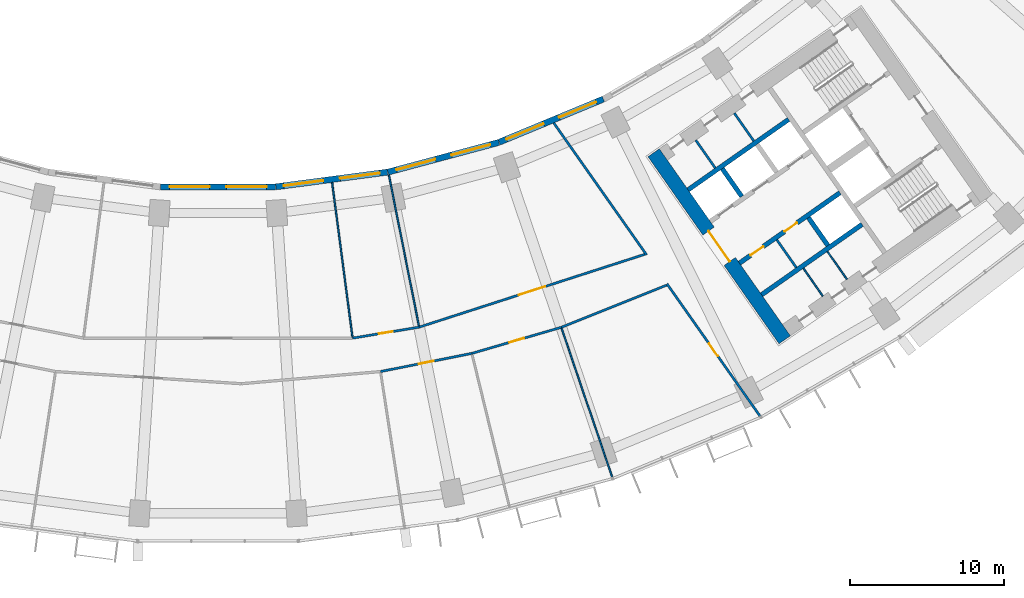
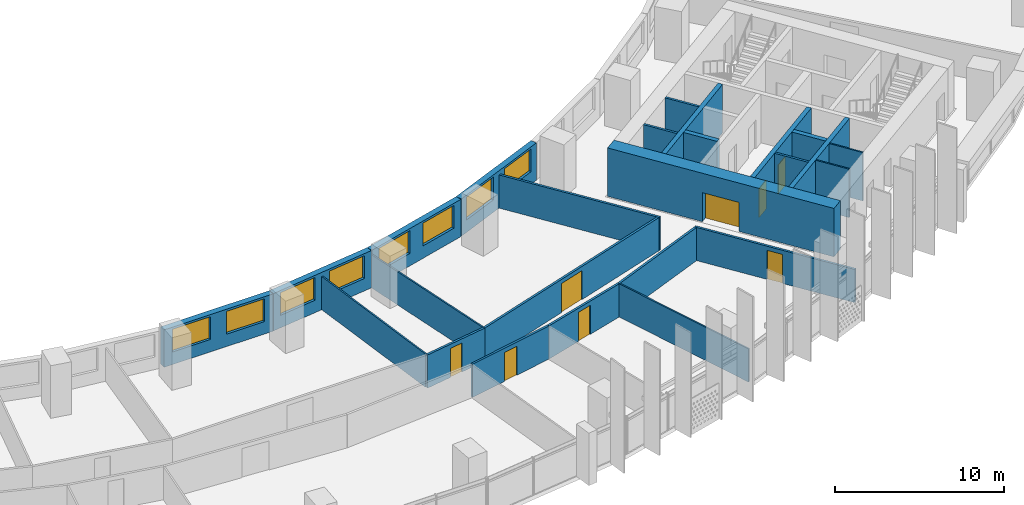
# One storey, part 6 of 32: 25 walls, 8 doors, 8 windows, 16 openings.
"""IFC4 building model written with IfcOpenShell, lengths in metres."""

import ifcopenshell
import ifcopenshell.guid

model = None  # the IFC model being written
_history = None  # IfcOwnerHistory: only IFC2X3 demands one
_inside = {}  # id of a spatial element -> (the spatial element, [elements in it])
_under = {}  # id of a project, library or spatial element -> (it, [spatial elements below it])
_declared = {}  # id of a project -> (the project, [libraries it declares])
_typed = {}  # id of a type object -> (the type object, [elements of that type])
_made_of = {}  # id of a material, layer set ... -> (it, [elements and type objects made of it])


def new_model(schema):
    """Start an empty IFC model of exactly this schema.

    Asked for "IFC4X3", IfcOpenShell would pick the latest addendum, in which some entities
    have other attributes; the version numbers below select the first issue.
    IFC2X3 requires an IfcOwnerHistory on every rooted entity: one is made here for all.
    """
    global model, _history
    if schema == "IFC4X3":
        model = ifcopenshell.file(schema_version=(4, 3, 0, 0))
    else:
        model = ifcopenshell.file(schema=schema)
    _inside.clear()
    _under.clear()
    _declared.clear()
    _typed.clear()
    _made_of.clear()
    _history = None
    if model.schema == "IFC2X3":
        org = make("IfcOrganization", Name="unknown")
        user = make(
            "IfcPersonAndOrganization",
            ThePerson=make("IfcPerson", FamilyName="unknown"),
            TheOrganization=org,
        )
        app = make(
            "IfcApplication",
            ApplicationDeveloper=org,
            Version="unknown",
            ApplicationFullName="unknown",
            ApplicationIdentifier="unknown",
        )
        _history = make(
            "IfcOwnerHistory",
            OwningUser=user,
            OwningApplication=app,
            ChangeAction="ADDED",
            CreationDate=0,
        )
    return model


def make(cls, **values):
    """One entity of the class cls with the attributes given. An attribute that is None is left unset."""
    return model.create_entity(
        cls, **{name: value for name, value in values.items() if value is not None}
    )


def rooted(cls, **values):
    """An entity with a GlobalId (a new one), such as an element, a storey or a relation."""
    return make(cls, GlobalId=ifcopenshell.guid.new(), OwnerHistory=_history, **values)


def si_unit(unit_type, name, prefix=None):
    """IfcSIUnit, for example si_unit("LENGTHUNIT", "METRE", prefix="MILLI")."""
    return make("IfcSIUnit", UnitType=unit_type, Prefix=prefix, Name=name)


def assignment(units):
    """IfcUnitAssignment: the units of a project."""
    return None if units is None else make("IfcUnitAssignment", Units=units)


def point(xyz):
    """IfcCartesianPoint."""
    return None if xyz is None else make("IfcCartesianPoint", Coordinates=xyz)


def direction(xyz):
    """IfcDirection."""
    return None if xyz is None else make("IfcDirection", DirectionRatios=xyz)


def frame(location, z_axis=None, x_axis=None):
    """IfcAxis2Placement3D, a coordinate frame: its origin and axes. An axis left out is left unset."""
    return make(
        "IfcAxis2Placement3D",
        Location=point(location),
        Axis=direction(z_axis),
        RefDirection=direction(x_axis),
    )


def frame_2d(location, x_axis=None):
    """IfcAxis2Placement2D, a coordinate frame in the plane: its origin and x axis."""
    return make(
        "IfcAxis2Placement2D", Location=point(location), RefDirection=direction(x_axis)
    )


def origin():
    """The frame at (0, 0, 0) with its axes left unset."""
    return frame((0.0, 0.0, 0.0))


def place(relative_to, where):
    """IfcLocalPlacement: puts the frame where relative to a parent placement (None: the world)."""
    return make(
        "IfcLocalPlacement", PlacementRelTo=relative_to, RelativePlacement=where
    )


def context(
    kind, dimensions, precision=None, world=None, true_north=None, identifier=None
):
    """IfcGeometricRepresentationContext, for example the 3D "Model" context."""
    return make(
        "IfcGeometricRepresentationContext",
        ContextIdentifier=identifier,
        ContextType=kind,
        CoordinateSpaceDimension=dimensions,
        Precision=precision,
        WorldCoordinateSystem=world,
        TrueNorth=true_north,
    )


def subcontext(parent, identifier, kind, view, scale=None):
    """IfcGeometricRepresentationSubContext, for example "Body" below "Model"."""
    return make(
        "IfcGeometricRepresentationSubContext",
        ContextIdentifier=identifier,
        ContextType=kind,
        ParentContext=parent,
        TargetScale=scale,
        TargetView=view,
    )


def project(units=None, contexts=None):
    """IfcProject with its units and contexts."""
    return rooted(
        "IfcProject",
        Name="project",
        RepresentationContexts=contexts,
        UnitsInContext=assignment(units),
    )


def spatial(cls, under=None, at=None, **own):
    """A site, building, storey or space (cls), placed at a placement, below another one or the project."""
    s = rooted(cls, ObjectPlacement=at, **own)
    if under is not None:
        _under.setdefault(under.id(), (under, []))[1].append(s)
    return s


def profile(cls, at=None, kind="AREA", **sizes):
    """A parametric profile (cls). Its sizes go by their IFC names, for example OverallWidth=200.0."""
    return make(cls, ProfileType=kind, Position=at, **sizes)


def rectangle(**sizes):
    """IfcRectangleProfileDef."""
    return profile("IfcRectangleProfileDef", **sizes)


def extrude(swept, where, along, depth):
    """IfcExtrudedAreaSolid: the profile swept, set in the frame where, extruded along a direction by depth."""
    return make(
        "IfcExtrudedAreaSolid",
        SweptArea=swept,
        Position=where,
        ExtrudedDirection=direction(along),
        Depth=depth,
    )


def shape(context_of_items, identifier, shape_type, items):
    """IfcShapeRepresentation: the items that make up one representation, for example the "Body"."""
    return make(
        "IfcShapeRepresentation",
        ContextOfItems=context_of_items,
        RepresentationIdentifier=identifier,
        RepresentationType=shape_type,
        Items=items,
    )


def material(Name=None, Category=None):
    """IfcMaterial."""
    return make("IfcMaterial", Name=Name, Category=Category)


def layer(
    of_material, thickness, ventilated=None, Name=None, Category=None, Priority=None
):
    """IfcMaterialLayer: one layer of a wall or slab, of a material (None: an air gap)."""
    return make(
        "IfcMaterialLayer",
        Material=of_material,
        LayerThickness=thickness,
        IsVentilated=ventilated,
        Name=Name,
        Category=Category,
        Priority=Priority,
    )


def layer_set(layers, Name=None):
    """IfcMaterialLayerSet."""
    return make("IfcMaterialLayerSet", MaterialLayers=layers, LayerSetName=Name)


def made_of(thing, what):
    """Note that an element or type object is made of a material, layer set ...; save() writes the relation."""
    if what is not None:
        _made_of.setdefault(what.id(), (what, []))[1].append(thing)
    return thing


def type_object(cls, material=None, **own):
    """A type object (cls), such as IfcWallType, which elements share."""
    return made_of(rooted(cls, **own), material)


def element(
    cls,
    number,
    at=None,
    inside=None,
    cuts=None,
    type_object=None,
    material=None,
    context=None,
    identifier="Body",
    shape_type=None,
    held_by="IfcProductDefinitionShape",
    body=None,
    shapes=None,
    **own,
):
    """One element of the class cls, such as IfcWall. Its Tag is "e" and its number.

    at: its placement. inside: the storey or other place that contains it. cuts: it is an
    opening in that element (IfcRelVoidsElement). A single representation is given by context,
    identifier, shape_type and body (its items); several are given by shapes. held_by: the class
    of the entity that holds the representations. save() writes the other relations.
    """
    e = rooted(cls, Tag="e%d" % number, ObjectPlacement=at, **own)
    if body is not None:
        shapes = [shape(context, identifier, shape_type, body)]
    if shapes is not None:
        e.Representation = make(held_by, Representations=shapes)
    if inside is not None:
        _inside.setdefault(inside.id(), (inside, []))[1].append(e)
    if cuts is not None:
        rooted(
            "IfcRelVoidsElement", RelatingBuildingElement=cuts, RelatedOpeningElement=e
        )
    if type_object is not None:
        _typed.setdefault(type_object.id(), (type_object, []))[1].append(e)
    return made_of(e, material)


def fill(opening, filler):
    """IfcRelFillsElement: the door or window that sits in an opening."""
    return rooted(
        "IfcRelFillsElement",
        RelatingOpeningElement=opening,
        RelatedBuildingElement=filler,
    )


def aggregate(whole, parts):
    """IfcRelAggregates: a whole, such as a stair, and the parts it consists of."""
    return rooted("IfcRelAggregates", RelatingObject=whole, RelatedObjects=parts)


def save(model, path):
    """Write the relations noted so far, then the file.

    IfcRelAggregates (storeys below a building ...), IfcRelContainedInSpatialStructure (elements
    in a storey), IfcRelDefinesByType, IfcRelAssociatesMaterial and IfcRelDeclares: one each for
    every whole, place, type object, material and project.
    """
    for whole, parts in _under.values():
        aggregate(whole, parts)
    for where, things in _inside.values():
        rooted(
            "IfcRelContainedInSpatialStructure",
            RelatedElements=things,
            RelatingStructure=where,
        )
    for kind, things in _typed.values():
        rooted("IfcRelDefinesByType", RelatedObjects=things, RelatingType=kind)
    for what, things in _made_of.values():
        rooted("IfcRelAssociatesMaterial", RelatedObjects=things, RelatingMaterial=what)
    for by, libraries in _declared.values():
        rooted("IfcRelDeclares", RelatingContext=by, RelatedDefinitions=libraries)
    model.write(path)


model = new_model("IFC4")

# Units and contexts
model_context = context("Model", 3, precision=1e-05, world=origin(), true_north=direction((0.0, 1.0)))
body_context = subcontext(model_context, "Body", "Model", "MODEL_VIEW")
ifc_project = project(units=[si_unit("LENGTHUNIT", "METRE"), si_unit("AREAUNIT", "SQUARE_METRE"), si_unit("VOLUMEUNIT", "CUBIC_METRE"), si_unit("PLANEANGLEUNIT", "RADIAN"), si_unit("MASSUNIT", "GRAM", prefix="KILO")], contexts=[model_context])

# Site, building, storey
site_placement = place(None, origin())
site = spatial("IfcSite", under=ifc_project, at=site_placement, CompositionType="ELEMENT")
building_placement = place(site_placement, origin())
building = spatial("IfcBuilding", under=site, at=building_placement, Name="Qamariyya Broadcast Tower", CompositionType="ELEMENT")
storey_placement = place(building_placement, frame((0.0, 0.0, 70.89990234375)))
storey = spatial("IfcBuildingStorey", under=building, at=storey_placement, Name="L14", CompositionType="ELEMENT", Elevation=70.89990234375)

# Wall, opening, door
ifc_material_1 = material(Name="Concrete C70/85", Category="concrete")
ifc_layer_1 = layer(ifc_material_1, 0.89990234375)
ifc_layer_set_1 = layer_set([ifc_layer_1], Name="Core wall 900 mm Concrete C70/85")
wall_type_1 = type_object("IfcWallType", Name="Core wall 900 mm Concrete C70/85", PredefinedType="SHEAR", material=ifc_layer_set_1)
wall_1_placement = place(storey_placement, frame((36.716796875, -66.3369140625, 0.0), z_axis=(0.0, 0.0, 1.0), x_axis=(-0.573577477574, 0.819151315216, 0.0)))
wall_1 = element("IfcWall", 1, at=wall_1_placement, inside=storey, type_object=wall_type_1, Name="k-E-L14-WA", PredefinedType="SHEAR", context=body_context, shape_type="SweptSolid", body=[
    extrude(rectangle(XDim=14.800048828125, YDim=0.89990234375, at=frame_2d((7.39990234375, 0.0))), origin(), (0.0, 0.0, 1.0), 3.5),
])
opening_1_placement = place(wall_1_placement, frame((6.199951171875, 0.0, 0.0)))
opening_1 = element("IfcOpeningElement", 2, at=opening_1_placement, cuts=wall_1, Name="Opening KD3-E1", PredefinedType="OPENING", context=body_context, shape_type="SweptSolid", body=[
    extrude(rectangle(XDim=2.39990234375, YDim=2.10009765625, at=frame_2d((1.199951171875, 1.050048828125))), frame((0.0, 0.4599609375, 0.0), z_axis=(0.0, -1.0, 0.0), x_axis=(1.0, 0.0, 0.0)), (0.0, 0.0, 1.0), 0.919921875),
])
ifc_material_2 = material(Name="Steel fire-resisting door leaf", Category="steel")
door_type_1 = type_object("IfcDoorType", Name="Lift lobby door KD3", OperationType="DOUBLE_DOOR_SINGLE_SWING", PredefinedType="DOOR", material=ifc_material_2)
door_1_placement = place(opening_1_placement, origin())
door_1 = element("IfcDoor", 3, at=door_1_placement, inside=storey, type_object=door_type_1, Name="k-E-L14-WA-D1", OperationType="DOUBLE_DOOR_SINGLE_SWING", OverallHeight=2.10009765625, OverallWidth=2.39990234375, PredefinedType="DOOR", context=body_context, shape_type="SweptSolid", body=[
    extrude(rectangle(XDim=2.39990234375, YDim=2.10009765625, at=frame_2d((1.199951171875, 1.050048828125))), frame((0.0, 0.02490234375, 0.0), z_axis=(0.0, -1.0, 0.0), x_axis=(1.0, 0.0, 0.0)), (0.0, 0.0, 1.0), 0.050048828125),
])
fill(opening_1, door_1)

ifc_material_3 = material(Name="Gypsum board partition")
ifc_layer_2 = layer(ifc_material_3, 0.14990234375)
ifc_layer_set_2 = layer_set([ifc_layer_2], Name="Corridor partition 150 EI 60")
wall_type_2 = type_object("IfcWallType", Name="Corridor partition 150 EI 60", PredefinedType="PARTITIONING", material=ifc_layer_set_2)
wall_2_placement = place(storey_placement, frame((8.71923828125, -66.228515625, 0.0), z_axis=(0.0, 0.0, 1.0), x_axis=(0.986638873051, 0.162922479065, 0.0)))
wall_2 = element("IfcWall", 4, at=wall_2_placement, inside=storey, type_object=wall_type_2, Name="Partition L14-016", PredefinedType="PARTITIONING", context=body_context, shape_type="SweptSolid", body=[
    extrude(rectangle(XDim=4.37109375, YDim=0.14990234375, at=frame_2d((2.185546875, 0.0))), origin(), (0.0, 0.0, 1.0), 2.400146484375),
])
opening_2_placement = place(wall_2_placement, frame((1.735595703125, 0.0, 0.0)))
opening_2 = element("IfcOpeningElement", 5, at=opening_2_placement, cuts=wall_2, Name="Opening L14-D10", PredefinedType="OPENING", context=body_context, shape_type="SweptSolid", body=[
    extrude(rectangle(XDim=0.89990234375, YDim=2.10009765625, at=frame_2d((0.449951171875, 1.050048828125))), frame((0.0, 0.0849609375, 0.0), z_axis=(0.0, -1.0, 0.0), x_axis=(1.0, 0.0, 0.0)), (0.0, 0.0, 1.0), 0.169921875),
])
ifc_material_4 = material(Name="Timber fire door leaf", Category="wood")
door_type_2 = type_object("IfcDoorType", Name="Fire door 900 x 2100 FD60", OperationType="NOTDEFINED", PredefinedType="DOOR", material=ifc_material_4)
door_2_placement = place(opening_2_placement, origin())
door_2 = element("IfcDoor", 6, at=door_2_placement, inside=storey, type_object=door_type_2, Name="Door L14-D10", OperationType="SINGLE_SWING_RIGHT", OverallHeight=2.10009765625, OverallWidth=0.89990234375, PredefinedType="DOOR", context=body_context, shape_type="SweptSolid", body=[
    extrude(rectangle(XDim=0.89990234375, YDim=2.10009765625, at=frame_2d((0.449951171875, 1.050048828125))), frame((0.0, 0.02490234375, 0.0), z_axis=(0.0, -1.0, 0.0), x_axis=(1.0, 0.0, 0.0)), (0.0, 0.0, 1.0), 0.050048828125),
])
fill(opening_2, door_2)

wall_3_placement = place(storey_placement, frame((16.446044921875, -67.21728515625, 0.0), z_axis=(0.0, 0.0, 1.0), x_axis=(-0.980785582749, -0.195088802015, 0.0)))
wall_3 = element("IfcWall", 7, at=wall_3_placement, inside=storey, type_object=wall_type_2, Name="Partition L14-017", PredefinedType="PARTITIONING", context=body_context, shape_type="SweptSolid", body=[
    extrude(rectangle(XDim=6.033203125, YDim=0.14990234375, at=frame_2d((3.0166015625, 0.0))), origin(), (0.0, 0.0, 1.0), 2.400146484375),
])
opening_3_placement = place(wall_3_placement, frame((2.5166015625, 0.0, 0.0)))
opening_3 = element("IfcOpeningElement", 8, at=opening_3_placement, cuts=wall_3, Name="Opening L14-D04", PredefinedType="OPENING", context=body_context, shape_type="SweptSolid", body=[
    extrude(rectangle(XDim=1.0, YDim=2.10009765625, at=frame_2d((0.5, 1.050048828125))), frame((0.0, 0.0849609375, 0.0), z_axis=(0.0, -1.0, 0.0), x_axis=(1.0, 0.0, 0.0)), (0.0, 0.0, 1.0), 0.169921875),
])
door_type_3 = type_object("IfcDoorType", Name="Fire door 1000 x 2100 FD60", OperationType="NOTDEFINED", PredefinedType="DOOR", material=ifc_material_4)
door_3_placement = place(opening_3_placement, origin())
door_3 = element("IfcDoor", 9, at=door_3_placement, inside=storey, type_object=door_type_3, Name="Door L14-D04", OperationType="SINGLE_SWING_RIGHT", OverallHeight=2.10009765625, OverallWidth=1.0, PredefinedType="DOOR", context=body_context, shape_type="SweptSolid", body=[
    extrude(rectangle(XDim=1.0, YDim=2.10009765625, at=frame_2d((0.5, 1.050048828125))), frame((0.0, 0.02490234375, 0.0), z_axis=(0.0, -1.0, 0.0), x_axis=(1.0, 0.0, 0.0)), (0.0, 0.0, 1.0), 0.050048828125),
])
fill(opening_3, door_3)

wall_4_placement = place(storey_placement, frame((13.031982421875, -65.516357421875, 0.0), z_axis=(0.0, 0.0, 1.0), x_axis=(0.951666530015, 0.307133221338, 0.0)))
wall_4 = element("IfcWall", 10, at=wall_4_placement, inside=storey, type_object=wall_type_2, Name="Partition L14-020", PredefinedType="PARTITIONING", context=body_context, shape_type="SweptSolid", body=[
    extrude(rectangle(XDim=15.3662109375, YDim=0.14990234375, at=frame_2d((7.68310546875, 0.0))), origin(), (0.0, 0.0, 1.0), 2.400146484375),
])
opening_4_placement = place(wall_4_placement, frame((6.782958984375, 0.0, 0.0)))
opening_4 = element("IfcOpeningElement", 11, at=opening_4_placement, cuts=wall_4, Name="Opening L14-D11", PredefinedType="OPENING", context=body_context, shape_type="SweptSolid", body=[
    extrude(rectangle(XDim=1.800048828125, YDim=2.10009765625, at=frame_2d((0.89990234375, 1.050048828125))), frame((0.0, 0.0849609375, 0.0), z_axis=(0.0, -1.0, 0.0), x_axis=(1.0, 0.0, 0.0)), (0.0, 0.0, 1.0), 0.169921875),
])
door_type_4 = type_object("IfcDoorType", Name="Double fire door 1800 x 2100 FD60", OperationType="NOTDEFINED", PredefinedType="DOOR", material=ifc_material_4)
door_4_placement = place(opening_4_placement, origin())
door_4 = element("IfcDoor", 12, at=door_4_placement, inside=storey, type_object=door_type_4, Name="Door L14-D11", OperationType="DOUBLE_DOOR_SINGLE_SWING", OverallHeight=2.10009765625, OverallWidth=1.800048828125, PredefinedType="DOOR", context=body_context, shape_type="SweptSolid", body=[
    extrude(rectangle(XDim=1.800048828125, YDim=2.10009765625, at=frame_2d((0.89990234375, 1.050048828125))), frame((0.0, 0.02490234375, 0.0), z_axis=(0.0, -1.0, 0.0), x_axis=(1.0, 0.0, 0.0)), (0.0, 0.0, 1.0), 0.050048828125),
])
fill(opening_4, door_4)

wall_5_placement = place(storey_placement, frame((22.24365234375, -65.527587890625, 0.0), z_axis=(0.0, 0.0, 1.0), x_axis=(-0.960056580345, -0.279805937279, 0.0)))
wall_5 = element("IfcWall", 13, at=wall_5_placement, inside=storey, type_object=wall_type_2, Name="Partition L14-021", PredefinedType="PARTITIONING", context=body_context, shape_type="SweptSolid", body=[
    extrude(rectangle(XDim=6.038818359375, YDim=0.14990234375, at=frame_2d((3.01953125, 0.0))), origin(), (0.0, 0.0, 1.0), 2.400146484375),
])
opening_5_placement = place(wall_5_placement, frame((2.51953125, 0.0, 0.0)))
opening_5 = element("IfcOpeningElement", 14, at=opening_5_placement, cuts=wall_5, Name="Opening L14-D05", PredefinedType="OPENING", context=body_context, shape_type="SweptSolid", body=[
    extrude(rectangle(XDim=1.0, YDim=2.10009765625, at=frame_2d((0.5, 1.050048828125))), frame((0.0, 0.0849609375, 0.0), z_axis=(0.0, -1.0, 0.0), x_axis=(1.0, 0.0, 0.0)), (0.0, 0.0, 1.0), 0.169921875),
])
door_5_placement = place(opening_5_placement, origin())
door_5 = element("IfcDoor", 15, at=door_5_placement, inside=storey, type_object=door_type_3, Name="Door L14-D05", OperationType="SINGLE_SWING_RIGHT", OverallHeight=2.10009765625, OverallWidth=1.0, PredefinedType="DOOR", context=body_context, shape_type="SweptSolid", body=[
    extrude(rectangle(XDim=1.0, YDim=2.10009765625, at=frame_2d((0.5, 1.050048828125))), frame((0.0, 0.02490234375, 0.0), z_axis=(0.0, -1.0, 0.0), x_axis=(1.0, 0.0, 0.0)), (0.0, 0.0, 1.0), 0.050048828125),
])
fill(opening_5, door_5)

# Walls
wall_6_placement = place(storey_placement, frame((21.748291015625, -52.2763671875, 0.0), z_axis=(0.0, 0.0, 1.0), x_axis=(0.575419434668, -0.817858468322, 0.0)))
element("IfcWall", 16, at=wall_6_placement, inside=storey, type_object=wall_type_2, Name="Partition L14-023", PredefinedType="PARTITIONING", context=body_context, shape_type="SweptSolid", body=[
    extrude(rectangle(XDim=10.46484375, YDim=0.14990234375, at=frame_2d((5.232421875, 0.0))), origin(), (0.0, 0.0, 1.0), 2.400146484375),
])
wall_7_placement = place(storey_placement, frame((22.24365234375, -65.527587890625, 0.0), z_axis=(0.0, 0.0, 1.0), x_axis=(0.928339065762, 0.371734554462, 0.0)))
element("IfcWall", 17, at=wall_7_placement, inside=storey, type_object=wall_type_2, Name="Partition L14-024", PredefinedType="PARTITIONING", context=body_context, shape_type="SweptSolid", body=[
    extrude(rectangle(XDim=7.343994140625, YDim=0.14990234375, at=frame_2d((3.671875, 0.0))), origin(), (0.0, 0.0, 1.0), 2.400146484375),
])

# Wall, opening, door
wall_8_placement = place(storey_placement, frame((35.11328125, -71.2724609375, 0.0), z_axis=(0.0, 0.0, 1.0), x_axis=(-0.575411972256, 0.817863718589, 0.0)))
wall_8 = element("IfcWall", 18, at=wall_8_placement, inside=storey, type_object=wall_type_2, Name="Partition L14-026", PredefinedType="PARTITIONING", context=body_context, shape_type="SweptSolid", body=[
    extrude(rectangle(XDim=10.471435546875, YDim=0.14990234375, at=frame_2d((5.23583984375, 0.0))), origin(), (0.0, 0.0, 1.0), 2.400146484375),
])
opening_6_placement = place(wall_8_placement, frame((4.735595703125, 0.0, 0.0)))
opening_6 = element("IfcOpeningElement", 19, at=opening_6_placement, cuts=wall_8, Name="Opening L14-D06", PredefinedType="OPENING", context=body_context, shape_type="SweptSolid", body=[
    extrude(rectangle(XDim=1.0, YDim=2.10009765625, at=frame_2d((0.5, 1.050048828125))), frame((0.0, 0.0849609375, 0.0), z_axis=(0.0, -1.0, 0.0), x_axis=(1.0, 0.0, 0.0)), (0.0, 0.0, 1.0), 0.169921875),
])
door_6_placement = place(opening_6_placement, origin())
door_6 = element("IfcDoor", 20, at=door_6_placement, inside=storey, type_object=door_type_3, Name="Door L14-D06", OperationType="SINGLE_SWING_RIGHT", OverallHeight=2.10009765625, OverallWidth=1.0, PredefinedType="DOOR", context=body_context, shape_type="SweptSolid", body=[
    extrude(rectangle(XDim=1.0, YDim=2.10009765625, at=frame_2d((0.5, 1.050048828125))), frame((0.0, 0.02490234375, 0.0), z_axis=(0.0, -1.0, 0.0), x_axis=(1.0, 0.0, 0.0)), (0.0, 0.0, 1.0), 0.050048828125),
])
fill(opening_6, door_6)

# Walls
ifc_material_5 = material(Name="Gypsum board partition on steel studs", Category="steel")
ifc_layer_3 = layer(ifc_material_5, 0.14990234375)
ifc_layer_set_3 = layer_set([ifc_layer_3], Name="Gypsum board partition 150 mm")
wall_type_3 = type_object("IfcWallType", Name="Gypsum board partition 150 mm", PredefinedType="PARTITIONING", material=ifc_layer_set_3)
for number, where, z_axis, x_axis, name in (
    (21, (36.2080078125, -59.85693359375, 0.0), (0.0, 0.0, 1.0), (0.573581496053, -0.819148501424, 0.0), "k-E-L14-SC285"),
    (22, (32.2177734375, -55.204345703125, 0.0), (0.0, 0.0, 1.0), (-0.573581496053, 0.819148501424, 0.0), "k-E-L14-NP225"),
):
    element("IfcWall", number, at=place(storey_placement, frame(where, z_axis=z_axis, x_axis=x_axis)), inside=storey, type_object=wall_type_3, Name=name, PredefinedType="PARTITIONING", context=body_context, shape_type="SweptSolid", body=[
        extrude(rectangle(XDim=2.2001953125, YDim=0.14990234375, at=frame_2d((1.10009765625, 0.0))), origin(), (0.0, 0.0, 1.0), 3.5),
    ])
wall_9_placement = place(storey_placement, frame((34.716064453125, -53.454833984375, 0.0), z_axis=(0.0, 0.0, 1.0), x_axis=(-0.573507030513, 0.819200638399, 0.0)))
element("IfcWall", 23, at=wall_9_placement, inside=storey, type_object=wall_type_3, Name="k-E-L14-NP530", PredefinedType="PARTITIONING", context=body_context, shape_type="SweptSolid", body=[
    extrude(rectangle(XDim=2.199951171875, YDim=0.14990234375, at=frame_2d((1.10009765625, 0.0))), origin(), (0.0, 0.0, 1.0), 3.5),
])
ifc_material_6 = material(Name="Concrete C60/75", Category="concrete")
ifc_layer_4 = layer(ifc_material_6, 0.300048828125)
ifc_layer_set_4 = layer_set([ifc_layer_4], Name="Lift shaft wall 300 mm Concrete C60/75")
wall_type_4 = type_object("IfcWallType", Name="Lift shaft wall 300 mm Concrete C60/75", PredefinedType="SOLIDWALL", material=ifc_layer_set_4)
wall_10_placement = place(storey_placement, frame((30.460693359375, -56.61767578125, 0.0), z_axis=(0.0, 0.0, 1.0), x_axis=(0.819142461705, 0.573590121456, 0.0)))
element("IfcWall", 24, at=wall_10_placement, inside=storey, type_object=wall_type_4, Name="k-E-L14-NB0", PredefinedType="SOLIDWALL", context=body_context, shape_type="SweptSolid", body=[
    extrude(rectangle(XDim=7.949951171875, YDim=0.300048828125, at=frame_2d((3.97509765625, 0.0))), origin(), (0.0, 0.0, 1.0), 3.5),
])
wall_11_placement = place(storey_placement, frame((33.9384765625, -57.051513671875, 0.0), z_axis=(0.0, 0.0, 1.0), x_axis=(-0.573581496053, 0.819148501424, 0.0)))
element("IfcWall", 25, at=wall_11_placement, inside=storey, type_object=wall_type_4, Name="k-E-L14-ND0", PredefinedType="SOLIDWALL", context=body_context, shape_type="SweptSolid", body=[
    extrude(rectangle(XDim=2.2001953125, YDim=0.300048828125, at=frame_2d((1.10009765625, 0.0))), origin(), (0.0, 0.0, 1.0), 3.5),
])

# Wall, openings, doors
wall_12_placement = place(storey_placement, frame((33.787353515625, -61.368896484375, 0.0), z_axis=(0.0, 0.0, 1.0), x_axis=(0.819152564888, 0.573575692858, 0.0)))
wall_12 = element("IfcWall", 26, at=wall_12_placement, inside=storey, type_object=wall_type_4, Name="k-E-L14-SF0", PredefinedType="SOLIDWALL", context=body_context, shape_type="SweptSolid", body=[
    extrude(rectangle(XDim=7.9501953125, YDim=0.300048828125, at=frame_2d((3.97509765625, 0.0))), origin(), (0.0, 0.0, 1.0), 3.5),
])
opening_7_placement = place(wall_12_placement, frame((0.887451171875, 0.0, 0.0)))
opening_7 = element("IfcOpeningElement", 27, at=opening_7_placement, cuts=wall_12, Name="Opening KD4-E1", PredefinedType="OPENING", context=body_context, shape_type="SweptSolid", body=[
    extrude(rectangle(XDim=1.0, YDim=2.10009765625, at=frame_2d((0.5, 1.050048828125))), frame((0.0, 0.159912109375, 0.0), z_axis=(0.0, -1.0, 0.0), x_axis=(1.0, 0.0, 0.0)), (0.0, 0.0, 1.0), 0.320068359375),
])
opening_8_placement = place(wall_12_placement, frame((3.5625, 0.0, 0.0)))
opening_8 = element("IfcOpeningElement", 28, at=opening_8_placement, cuts=wall_12, Name="Opening KD6-E1", PredefinedType="OPENING", context=body_context, shape_type="SweptSolid", body=[
    extrude(rectangle(XDim=1.0, YDim=2.10009765625, at=frame_2d((0.5, 1.050048828125))), frame((0.0, 0.159912109375, 0.0), z_axis=(0.0, -1.0, 0.0), x_axis=(1.0, 0.0, 0.0)), (0.0, 0.0, 1.0), 0.320068359375),
])
door_type_5 = type_object("IfcDoorType", Name="Core room door KD6", OperationType="SINGLE_SWING_LEFT", PredefinedType="DOOR", material=ifc_material_2)
door_7_placement = place(opening_8_placement, origin())
door_7 = element("IfcDoor", 29, at=door_7_placement, inside=storey, type_object=door_type_5, Name="k-E-L14-SF0-D6", OperationType="SINGLE_SWING_RIGHT", OverallHeight=2.10009765625, OverallWidth=1.0, PredefinedType="DOOR", context=body_context, shape_type="SweptSolid", body=[
    extrude(rectangle(XDim=1.0, YDim=2.10009765625, at=frame_2d((0.5, 1.050048828125))), frame((0.0, 0.02490234375, 0.0), z_axis=(0.0, -1.0, 0.0), x_axis=(1.0, 0.0, 0.0)), (0.0, 0.0, 1.0), 0.050048828125),
])
fill(opening_8, door_7)
door_type_6 = type_object("IfcDoorType", Name="Riser and plant door KD4", OperationType="SINGLE_SWING_LEFT", PredefinedType="DOOR", material=ifc_material_2)
door_8_placement = place(opening_7_placement, origin())
door_8 = element("IfcDoor", 30, at=door_8_placement, inside=storey, type_object=door_type_6, Name="k-E-L14-SF0-D5", OperationType="SINGLE_SWING_LEFT", OverallHeight=2.10009765625, OverallWidth=1.0, PredefinedType="DOOR", context=body_context, shape_type="SweptSolid", body=[
    extrude(rectangle(XDim=1.0, YDim=2.10009765625, at=frame_2d((0.5, 1.050048828125))), frame((0.0, 0.02490234375, 0.0), z_axis=(0.0, -1.0, 0.0), x_axis=(1.0, 0.0, 0.0)), (0.0, 0.0, 1.0), 0.050048828125),
])
fill(opening_7, door_8)

# Walls
wall_13_placement = place(storey_placement, frame((35.22119140625, -63.41650390625, 0.0), z_axis=(0.0, 0.0, 1.0), x_axis=(0.819166993208, 0.573555086491, 0.0)))
element("IfcWall", 31, at=wall_13_placement, inside=storey, type_object=wall_type_4, Name="k-E-L14-SB0", PredefinedType="SOLIDWALL", context=body_context, shape_type="SweptSolid", body=[
    extrude(rectangle(XDim=7.9501953125, YDim=0.300048828125, at=frame_2d((3.97509765625, 0.0))), origin(), (0.0, 0.0, 1.0), 3.5),
])
wall_14_placement = place(storey_placement, frame((38.255859375, -58.423095703125, 0.0), z_axis=(0.0, 0.0, 1.0), x_axis=(0.573633636671, -0.819111989218, 0.0)))
element("IfcWall", 32, at=wall_14_placement, inside=storey, type_object=wall_type_4, Name="k-E-L14-SD1", PredefinedType="SOLIDWALL", context=body_context, shape_type="SweptSolid", body=[
    extrude(rectangle(XDim=2.199951171875, YDim=0.300048828125, at=frame_2d((1.10009765625, 0.0))), origin(), (0.0, 0.0, 1.0), 3.5),
])
ifc_layer_5 = layer(ifc_material_3, 0.10009765625)
ifc_layer_set_5 = layer_set([ifc_layer_5], Name="Partition 100")
wall_type_5 = type_object("IfcWallType", Name="Partition 100", PredefinedType="PARTITIONING", material=ifc_layer_set_5)
wall_15_placement = place(storey_placement, frame((7.3916015625, -56.144775390625, 0.0), z_axis=(0.0, 0.0, 1.0), x_axis=(0.130538336764, -0.991443262439, 0.0)))
element("IfcWall", 33, at=wall_15_placement, inside=storey, type_object=wall_type_5, Name="Partition L14-015", PredefinedType="PARTITIONING", context=body_context, shape_type="SweptSolid", body=[
    extrude(rectangle(XDim=10.095703125, YDim=0.10009765625, at=frame_2d((5.0478515625, 0.0))), origin(), (0.0, 0.0, 1.0), 2.400146484375),
])
wall_16_placement = place(storey_placement, frame((11.0712890625, -55.65966796875, 0.0), z_axis=(0.0, 0.0, 1.0), x_axis=(0.195094645032, -0.980784420492, 0.0)))
element("IfcWall", 34, at=wall_16_placement, inside=storey, type_object=wall_type_5, Name="Partition L14-018", PredefinedType="PARTITIONING", context=body_context, shape_type="SweptSolid", body=[
    extrude(rectangle(XDim=9.974853515625, YDim=0.10009765625, at=frame_2d((4.9873046875, 0.0))), origin(), (0.0, 0.0, 1.0), 2.400146484375),
])
wall_17_placement = place(storey_placement, frame((25.538330078125, -75.233642578125, 0.0), z_axis=(0.0, 0.0, 1.0), x_axis=(-0.32142736677, 0.946934236308, 0.0)))
element("IfcWall", 35, at=wall_17_placement, inside=storey, type_object=wall_type_5, Name="Partition L14-025", PredefinedType="PARTITIONING", context=body_context, shape_type="SweptSolid", body=[
    extrude(rectangle(XDim=10.175048828125, YDim=0.10009765625, at=frame_2d((5.08740234375, 0.0))), origin(), (0.0, 0.0, 1.0), 2.400146484375),
])
ifc_material_7 = material(Name="Fire-rated gypsum shaft liner on steel studs", Category="steel")
ifc_layer_6 = layer(ifc_material_7, 0.10009765625)
ifc_layer_set_6 = layer_set([ifc_layer_6], Name="Riser wall 100 mm")
wall_type_6 = type_object("IfcWallType", Name="Riser wall 100 mm", PredefinedType="PLUMBINGWALL", material=ifc_layer_set_6)
wall_18_placement = place(storey_placement, frame((37.9287109375, -61.7041015625, 0.0), z_axis=(0.0, 0.0, 1.0), x_axis=(0.573559170999, -0.819164133348, 0.0)))
element("IfcWall", 36, at=wall_18_placement, inside=storey, type_object=wall_type_6, Name="k-E-L14-SP320", PredefinedType="PLUMBINGWALL", context=body_context, shape_type="SweptSolid", body=[
    extrude(rectangle(XDim=2.19970703125, YDim=0.10009765625, at=frame_2d((1.099853515625, 0.0))), origin(), (0.0, 0.0, 1.0), 3.5),
])
wall_19_placement = place(storey_placement, frame((39.485107421875, -60.6142578125, 0.0), z_axis=(0.0, 0.0, 1.0), x_axis=(0.573507030513, -0.819200638399, 0.0)))
element("IfcWall", 37, at=wall_19_placement, inside=storey, type_object=wall_type_6, Name="k-E-L14-SP510", PredefinedType="PLUMBINGWALL", context=body_context, shape_type="SweptSolid", body=[
    extrude(rectangle(XDim=2.199951171875, YDim=0.10009765625, at=frame_2d((1.10009765625, 0.0))), origin(), (0.0, 0.0, 1.0), 3.5),
])

# Wall, openings, windows
ifc_material_8 = material(Name="Terracotta", Category="masonry")
ifc_layer_7 = layer(ifc_material_8, 0.39990234375)
ifc_layer_set_7 = layer_set([ifc_layer_7], Name="Terracotta clad wall 400")
wall_type_7 = type_object("IfcWallType", Name="Terracotta clad wall 400", PredefinedType="SOLIDWALL", material=ifc_layer_set_7)
wall_20_placement = place(storey_placement, frame((18.20166015625, -53.542724609375, 0.0), z_axis=(0.0, 0.0, 1.0), x_axis=(-0.965924637935, -0.25882348006, 0.0)))
wall_20 = element("IfcWall", 38, at=wall_20_placement, inside=storey, type_object=wall_type_7, Name="e-wl-L14-in100", PredefinedType="SOLIDWALL", context=body_context, shape_type="SweptSolid", body=[
    extrude(rectangle(XDim=7.447021484375, YDim=0.39990234375, at=frame_2d((3.7236328125, 0.0))), origin(), (0.0, 0.0, 1.0), 2.7001953125),
])
opening_9_placement = place(wall_20_placement, frame((4.266357421875, 0.0, 0.89990234375)))
opening_9 = element("IfcOpeningElement", 39, at=opening_9_placement, cuts=wall_20, Name="Opening W1", PredefinedType="OPENING", context=body_context, shape_type="SweptSolid", body=[
    extrude(rectangle(XDim=2.60009765625, YDim=1.64990234375, at=frame_2d((1.300048828125, 0.824951171875))), frame((0.0, 0.2099609375, 0.0), z_axis=(0.0, -1.0, 0.0), x_axis=(1.0, 0.0, 0.0)), (0.0, 0.0, 1.0), 0.419921875),
])
opening_10_placement = place(wall_20_placement, frame((0.580810546875, 0.0, 0.89990234375)))
opening_10 = element("IfcOpeningElement", 40, at=opening_10_placement, cuts=wall_20, Name="Opening W1", PredefinedType="OPENING", context=body_context, shape_type="SweptSolid", body=[
    extrude(rectangle(XDim=2.60009765625, YDim=1.64990234375, at=frame_2d((1.300048828125, 0.824951171875))), frame((0.0, 0.2099609375, 0.0), z_axis=(0.0, -1.0, 0.0), x_axis=(1.0, 0.0, 0.0)), (0.0, 0.0, 1.0), 0.419921875),
])
ifc_material_9 = material(Name="Clear low-e double glazed unit in aluminium frame", Category="aluminium")
window_type = type_object("IfcWindowType", Name="Ribbon window 2600 x 1650", PartitioningType="SINGLE_PANEL", PredefinedType="WINDOW", material=ifc_material_9)
window_1_placement = place(opening_9_placement, origin())
window_1 = element("IfcWindow", 41, at=window_1_placement, inside=storey, type_object=window_type, Name="e-w-L14-in10-0", OverallHeight=1.64990234375, OverallWidth=2.60009765625, PartitioningType="SINGLE_PANEL", PredefinedType="WINDOW", context=body_context, shape_type="SweptSolid", body=[
    extrude(rectangle(XDim=2.60009765625, YDim=1.64990234375, at=frame_2d((1.300048828125, 0.824951171875))), frame((0.0, 0.030029296875, 0.0), z_axis=(0.0, -1.0, 0.0), x_axis=(1.0, 0.0, 0.0)), (0.0, 0.0, 1.0), 0.06005859375),
])
fill(opening_9, window_1)
window_2_placement = place(opening_10_placement, origin())
window_2 = element("IfcWindow", 42, at=window_2_placement, inside=storey, type_object=window_type, Name="e-w-L14-in10-1", OverallHeight=1.64990234375, OverallWidth=2.60009765625, PartitioningType="SINGLE_PANEL", PredefinedType="WINDOW", context=body_context, shape_type="SweptSolid", body=[
    extrude(rectangle(XDim=2.60009765625, YDim=1.64990234375, at=frame_2d((1.300048828125, 0.824951171875))), frame((0.0, 0.030029296875, 0.0), z_axis=(0.0, -1.0, 0.0), x_axis=(1.0, 0.0, 0.0)), (0.0, 0.0, 1.0), 0.06005859375),
])
fill(opening_10, window_2)

wall_21_placement = place(storey_placement, frame((24.96484375, -50.738037109375, 0.0), z_axis=(0.0, 0.0, 1.0), x_axis=(-0.923891626322, -0.382654234018, 0.0)))
wall_21 = element("IfcWall", 43, at=wall_21_placement, inside=storey, type_object=wall_type_7, Name="e-wl-L14-in110", PredefinedType="SOLIDWALL", context=body_context, shape_type="SweptSolid", body=[
    extrude(rectangle(XDim=7.295654296875, YDim=0.39990234375, at=frame_2d((3.64794921875, 0.0))), origin(), (0.0, 0.0, 1.0), 2.7001953125),
])
opening_11_placement = place(wall_21_placement, frame((4.190673828125, 0.0, 0.89990234375)))
opening_11 = element("IfcOpeningElement", 44, at=opening_11_placement, cuts=wall_21, Name="Opening W1", PredefinedType="OPENING", context=body_context, shape_type="SweptSolid", body=[
    extrude(rectangle(XDim=2.60009765625, YDim=1.64990234375, at=frame_2d((1.300048828125, 0.824951171875))), frame((0.0, 0.2099609375, 0.0), z_axis=(0.0, -1.0, 0.0), x_axis=(1.0, 0.0, 0.0)), (0.0, 0.0, 1.0), 0.419921875),
])
opening_12_placement = place(wall_21_placement, frame((0.505126953125, 0.0, 0.89990234375)))
opening_12 = element("IfcOpeningElement", 45, at=opening_12_placement, cuts=wall_21, Name="Opening W1", PredefinedType="OPENING", context=body_context, shape_type="SweptSolid", body=[
    extrude(rectangle(XDim=2.60009765625, YDim=1.64990234375, at=frame_2d((1.300048828125, 0.824951171875))), frame((0.0, 0.2099609375, 0.0), z_axis=(0.0, -1.0, 0.0), x_axis=(1.0, 0.0, 0.0)), (0.0, 0.0, 1.0), 0.419921875),
])
window_3_placement = place(opening_11_placement, origin())
window_3 = element("IfcWindow", 46, at=window_3_placement, inside=storey, type_object=window_type, Name="e-w-L14-in11-0", OverallHeight=1.64990234375, OverallWidth=2.60009765625, PartitioningType="SINGLE_PANEL", PredefinedType="WINDOW", context=body_context, shape_type="SweptSolid", body=[
    extrude(rectangle(XDim=2.60009765625, YDim=1.64990234375, at=frame_2d((1.300048828125, 0.824951171875))), frame((0.0, 0.030029296875, 0.0), z_axis=(0.0, -1.0, 0.0), x_axis=(1.0, 0.0, 0.0)), (0.0, 0.0, 1.0), 0.06005859375),
])
fill(opening_11, window_3)
window_4_placement = place(opening_12_placement, origin())
window_4 = element("IfcWindow", 47, at=window_4_placement, inside=storey, type_object=window_type, Name="e-w-L14-in11-1", OverallHeight=1.64990234375, OverallWidth=2.60009765625, PartitioningType="SINGLE_PANEL", PredefinedType="WINDOW", context=body_context, shape_type="SweptSolid", body=[
    extrude(rectangle(XDim=2.60009765625, YDim=1.64990234375, at=frame_2d((1.300048828125, 0.824951171875))), frame((0.0, 0.030029296875, 0.0), z_axis=(0.0, -1.0, 0.0), x_axis=(1.0, 0.0, 0.0)), (0.0, 0.0, 1.0), 0.06005859375),
])
fill(opening_12, window_4)

wall_22_placement = place(storey_placement, frame((3.7236328125, -56.429443359375, 0.0), z_axis=(0.0, 0.0, 1.0), x_axis=(-1.0, 0.0, 0.0)))
wall_22 = element("IfcWall", 48, at=wall_22_placement, inside=storey, type_object=wall_type_7, Name="e-wl-L14-in80", PredefinedType="SOLIDWALL", context=body_context, shape_type="SweptSolid", body=[
    extrude(rectangle(XDim=7.447265625, YDim=0.39990234375, at=frame_2d((3.7236328125, 0.0))), origin(), (0.0, 0.0, 1.0), 2.7001953125),
])
opening_13_placement = place(wall_22_placement, frame((4.266357421875, 0.0, 0.89990234375)))
opening_13 = element("IfcOpeningElement", 49, at=opening_13_placement, cuts=wall_22, Name="Opening W1", PredefinedType="OPENING", context=body_context, shape_type="SweptSolid", body=[
    extrude(rectangle(XDim=2.60009765625, YDim=1.64990234375, at=frame_2d((1.300048828125, 0.824951171875))), frame((0.0, 0.2099609375, 0.0), z_axis=(0.0, -1.0, 0.0), x_axis=(1.0, 0.0, 0.0)), (0.0, 0.0, 1.0), 0.419921875),
])
opening_14_placement = place(wall_22_placement, frame((0.580810546875, 0.0, 0.89990234375)))
opening_14 = element("IfcOpeningElement", 50, at=opening_14_placement, cuts=wall_22, Name="Opening W1", PredefinedType="OPENING", context=body_context, shape_type="SweptSolid", body=[
    extrude(rectangle(XDim=2.60009765625, YDim=1.64990234375, at=frame_2d((1.300048828125, 0.824951171875))), frame((0.0, 0.2099609375, 0.0), z_axis=(0.0, -1.0, 0.0), x_axis=(1.0, 0.0, 0.0)), (0.0, 0.0, 1.0), 0.419921875),
])
window_5_placement = place(opening_13_placement, origin())
window_5 = element("IfcWindow", 51, at=window_5_placement, inside=storey, type_object=window_type, Name="e-w-L14-in08-0", OverallHeight=1.64990234375, OverallWidth=2.60009765625, PartitioningType="SINGLE_PANEL", PredefinedType="WINDOW", context=body_context, shape_type="SweptSolid", body=[
    extrude(rectangle(XDim=2.60009765625, YDim=1.64990234375, at=frame_2d((1.300048828125, 0.824951171875))), frame((0.0, 0.030029296875, 0.0), z_axis=(0.0, -1.0, 0.0), x_axis=(1.0, 0.0, 0.0)), (0.0, 0.0, 1.0), 0.06005859375),
])
fill(opening_13, window_5)
window_6_placement = place(opening_14_placement, origin())
window_6 = element("IfcWindow", 52, at=window_6_placement, inside=storey, type_object=window_type, Name="e-w-L14-in08-1", OverallHeight=1.64990234375, OverallWidth=2.60009765625, PartitioningType="SINGLE_PANEL", PredefinedType="WINDOW", context=body_context, shape_type="SweptSolid", body=[
    extrude(rectangle(XDim=2.60009765625, YDim=1.64990234375, at=frame_2d((1.300048828125, 0.824951171875))), frame((0.0, 0.030029296875, 0.0), z_axis=(0.0, -1.0, 0.0), x_axis=(1.0, 0.0, 0.0)), (0.0, 0.0, 1.0), 0.06005859375),
])
fill(opening_14, window_6)

wall_23_placement = place(storey_placement, frame((10.982177734375, -55.470458984375, 0.0), z_axis=(0.0, 0.0, 1.0), x_axis=(-0.99144746031, -0.130506449818, 0.0)))
wall_23 = element("IfcWall", 53, at=wall_23_placement, inside=storey, type_object=wall_type_7, Name="e-wl-L14-in90", PredefinedType="SOLIDWALL", context=body_context, shape_type="SweptSolid", body=[
    extrude(rectangle(XDim=7.2958984375, YDim=0.39990234375, at=frame_2d((3.64794921875, 0.0))), origin(), (0.0, 0.0, 1.0), 2.7001953125),
])
opening_15_placement = place(wall_23_placement, frame((4.190673828125, 0.0, 0.89990234375)))
opening_15 = element("IfcOpeningElement", 54, at=opening_15_placement, cuts=wall_23, Name="Opening W1", PredefinedType="OPENING", context=body_context, shape_type="SweptSolid", body=[
    extrude(rectangle(XDim=2.60009765625, YDim=1.64990234375, at=frame_2d((1.300048828125, 0.824951171875))), frame((0.0, 0.2099609375, 0.0), z_axis=(0.0, -1.0, 0.0), x_axis=(1.0, 0.0, 0.0)), (0.0, 0.0, 1.0), 0.419921875),
])
opening_16_placement = place(wall_23_placement, frame((0.505126953125, 0.0, 0.89990234375)))
opening_16 = element("IfcOpeningElement", 55, at=opening_16_placement, cuts=wall_23, Name="Opening W1", PredefinedType="OPENING", context=body_context, shape_type="SweptSolid", body=[
    extrude(rectangle(XDim=2.60009765625, YDim=1.64990234375, at=frame_2d((1.300048828125, 0.824951171875))), frame((0.0, 0.2099609375, 0.0), z_axis=(0.0, -1.0, 0.0), x_axis=(1.0, 0.0, 0.0)), (0.0, 0.0, 1.0), 0.419921875),
])
window_7_placement = place(opening_15_placement, origin())
window_7 = element("IfcWindow", 56, at=window_7_placement, inside=storey, type_object=window_type, Name="e-w-L14-in09-0", OverallHeight=1.64990234375, OverallWidth=2.60009765625, PartitioningType="SINGLE_PANEL", PredefinedType="WINDOW", context=body_context, shape_type="SweptSolid", body=[
    extrude(rectangle(XDim=2.60009765625, YDim=1.64990234375, at=frame_2d((1.300048828125, 0.824951171875))), frame((0.0, 0.030029296875, 0.0), z_axis=(0.0, -1.0, 0.0), x_axis=(1.0, 0.0, 0.0)), (0.0, 0.0, 1.0), 0.06005859375),
])
fill(opening_15, window_7)
window_8_placement = place(opening_16_placement, origin())
window_8 = element("IfcWindow", 57, at=window_8_placement, inside=storey, type_object=window_type, Name="e-w-L14-in09-1", OverallHeight=1.64990234375, OverallWidth=2.60009765625, PartitioningType="SINGLE_PANEL", PredefinedType="WINDOW", context=body_context, shape_type="SweptSolid", body=[
    extrude(rectangle(XDim=2.60009765625, YDim=1.64990234375, at=frame_2d((1.300048828125, 0.824951171875))), frame((0.0, 0.030029296875, 0.0), z_axis=(0.0, -1.0, 0.0), x_axis=(1.0, 0.0, 0.0)), (0.0, 0.0, 1.0), 0.06005859375),
])
fill(opening_16, window_8)

save(model, "model.ifc")
